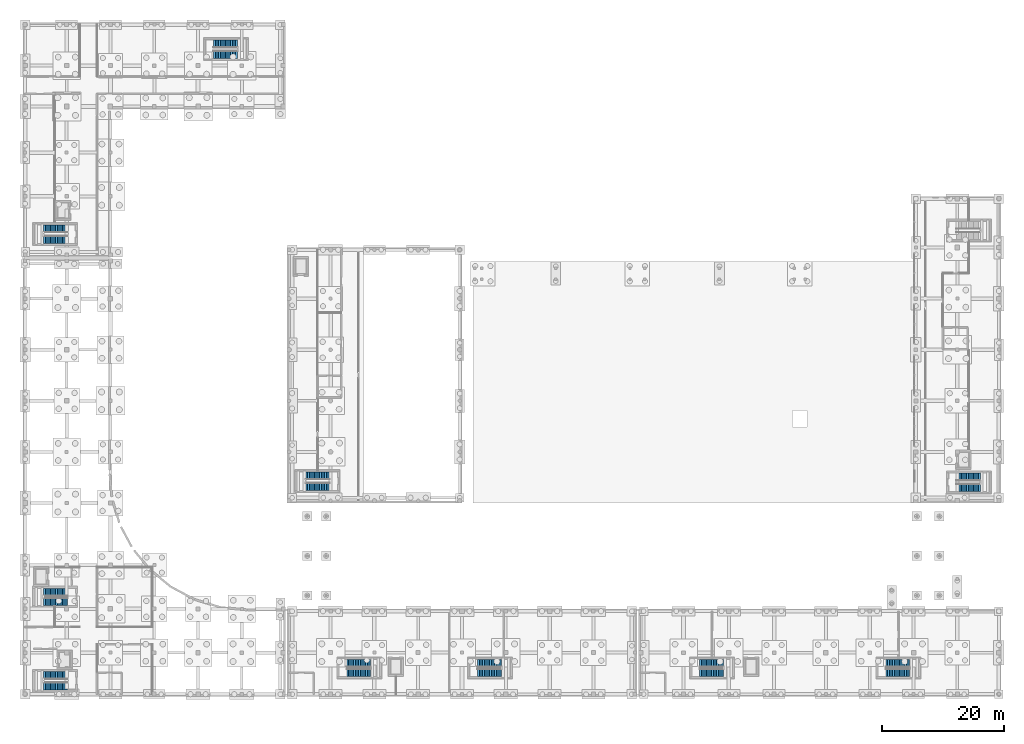
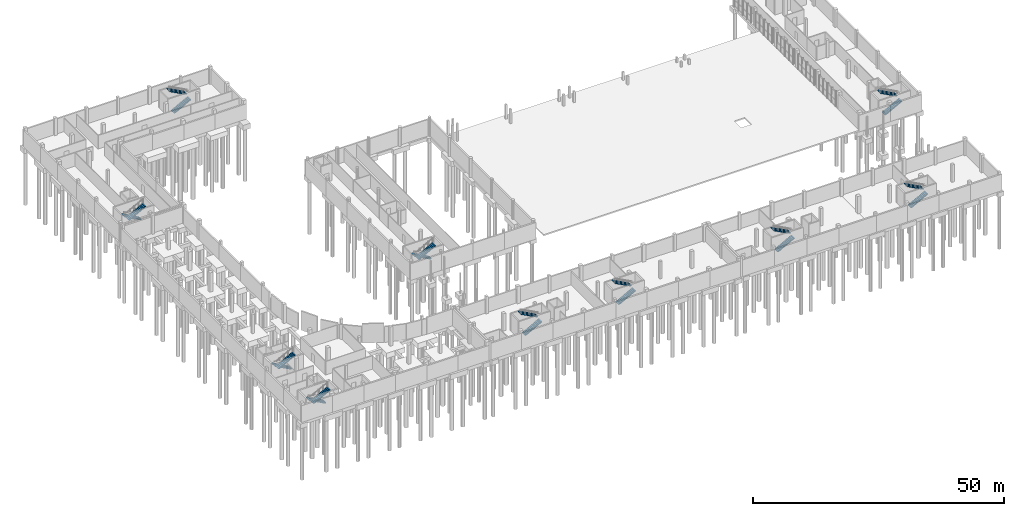
# One storey, part 33 of 41: 20 stair flights, 10 elements without a shape of their own.
"""IFC4 building model written with IfcOpenShell, lengths in metres."""

from ifc_helpers import new_model, si_unit, direction, frame, origin, place, context, subcontext, project, spatial, polyline, outline, extrude, material, type_object, element, aggregate, save


model = new_model("IFC4")

# Units and contexts
model_context = context("Model", 3, precision=1e-05, world=origin(), true_north=direction((0.0, 1.0)))
body_context = subcontext(model_context, "Body", "Model", "MODEL_VIEW")
ifc_project = project(units=[si_unit("LENGTHUNIT", "METRE"), si_unit("AREAUNIT", "SQUARE_METRE"), si_unit("VOLUMEUNIT", "CUBIC_METRE"), si_unit("PLANEANGLEUNIT", "RADIAN"), si_unit("MASSUNIT", "GRAM", prefix="KILO")], contexts=[model_context])

# Site, building, storey
site_placement = place(None, origin())
site = spatial("IfcSite", under=ifc_project, at=site_placement, CompositionType="ELEMENT")
building_placement = place(site_placement, origin())
building = spatial("IfcBuilding", under=site, at=building_placement, Name="Vardoun Plaza Health Centre", CompositionType="ELEMENT")
storey_placement = place(building_placement, frame((0.0, 0.0, -4.5)))
storey = spatial("IfcBuildingStorey", under=building, at=storey_placement, Name="B1", CompositionType="ELEMENT", Elevation=-4.5)

# Stair, stair flights
ifc_material_1 = material(Name="Concrete C35/45", Category="concrete")
stair_type = type_object("IfcStairType", Name="ST-01", PredefinedType="HALF_TURN_STAIR", material=ifc_material_1)
stair_1_placement = place(storey_placement, origin())
stair_1 = element("IfcStair", 1, at=stair_1_placement, inside=storey, type_object=stair_type, Name="Core C1 B1 Exit Stair ST-C1-B1", PredefinedType="HALF_TURN_STAIR")
ifc_material_2 = material(Name="Concrete C35/45", Category="concrete")
stair_flight_type = type_object("IfcStairFlightType", Name="SF-01", PredefinedType="STRAIGHT", material=ifc_material_2)
stair_flight_1_placement = place(storey_placement, frame((11.85009765625, 7.97998046875, 0.0), z_axis=(0.0, 0.0, 1.0), x_axis=(-1.0, 0.0, 0.0)))
stair_flight_1 = element("IfcStairFlight", 2, at=stair_flight_1_placement, type_object=stair_flight_type, Name="ST-C1-B1 flight 1", NumberOfRisers=15, NumberOfTreads=14, PredefinedType="STRAIGHT", RiserHeight=0.15, TreadLength=0.28, context=body_context, shape_type="SweptSolid", body=[
    extrude(outline(polyline([(0.0, 0.0), (0.0, 0.14990234375), (0.280029296875, 0.14990234375), (0.280029296875, 0.300048828125), (0.56005859375, 0.300048828125), (0.56005859375, 0.449951171875), (0.840087890625, 0.449951171875), (0.840087890625, 0.60009765625), (1.1201171875, 0.60009765625), (1.1201171875, 0.75), (1.39990234375, 0.75), (1.39990234375, 0.89990234375), (1.679931640625, 0.89990234375), (1.679931640625, 1.050048828125), (1.9599609375, 1.050048828125), (1.9599609375, 1.199951171875), (2.239990234375, 1.199951171875), (2.239990234375, 1.35009765625), (2.52001953125, 1.35009765625), (2.52001953125, 1.5), (2.800048828125, 1.5), (2.800048828125, 1.64990234375), (3.080078125, 1.64990234375), (3.080078125, 1.800048828125), (3.360107421875, 1.800048828125), (3.360107421875, 1.949951171875), (3.639892578125, 1.949951171875), (3.639892578125, 2.10009765625), (3.919921875, 2.10009765625), (3.919921875, 2.25), (3.919921875, 1.929931640625), (0.3173828125, 0.0), (0.0, 0.0)])), frame((0.0, 0.625, 0.0), z_axis=(0.0, -1.0, 0.0), x_axis=(1.0, 0.0, 0.0)), (0.0, 0.0, 1.0), 1.25),
])
stair_flight_2_placement = place(storey_placement, frame((7.929931640625, 6.219970703125, 2.25), z_axis=(0.0, 0.0, 1.0), x_axis=(1.0, 0.0, 0.0)))
stair_flight_2 = element("IfcStairFlight", 3, at=stair_flight_2_placement, type_object=stair_flight_type, Name="ST-C1-B1 flight 2", NumberOfRisers=15, NumberOfTreads=14, PredefinedType="STRAIGHT", RiserHeight=0.15, TreadLength=0.28, context=body_context, shape_type="SweptSolid", body=[
    extrude(outline(polyline([(0.0, 0.0), (0.0, 0.14990234375), (0.280029296875, 0.14990234375), (0.280029296875, 0.300048828125), (0.56005859375, 0.300048828125), (0.56005859375, 0.449951171875), (0.840087890625, 0.449951171875), (0.840087890625, 0.60009765625), (1.1201171875, 0.60009765625), (1.1201171875, 0.75), (1.39990234375, 0.75), (1.39990234375, 0.89990234375), (1.679931640625, 0.89990234375), (1.679931640625, 1.050048828125), (1.9599609375, 1.050048828125), (1.9599609375, 1.199951171875), (2.239990234375, 1.199951171875), (2.239990234375, 1.35009765625), (2.52001953125, 1.35009765625), (2.52001953125, 1.5), (2.800048828125, 1.5), (2.800048828125, 1.64990234375), (3.080078125, 1.64990234375), (3.080078125, 1.800048828125), (3.360107421875, 1.800048828125), (3.360107421875, 1.949951171875), (3.639892578125, 1.949951171875), (3.639892578125, 2.10009765625), (3.919921875, 2.10009765625), (3.919921875, 2.25), (3.919921875, 1.929931640625), (0.3173828125, 0.0), (0.0, 0.0)])), frame((0.0, 0.625, 0.0), z_axis=(0.0, -1.0, 0.0), x_axis=(1.0, 0.0, 0.0)), (0.0, 0.0, 1.0), 1.25),
])
aggregate(stair_1, [stair_flight_1, stair_flight_2])

stair_2_placement = place(storey_placement, origin())
stair_2 = element("IfcStair", 4, at=stair_2_placement, inside=storey, type_object=stair_type, Name="Core C10 B1 Exit Stair ST-C10-B1", PredefinedType="HALF_TURN_STAIR")
stair_flight_3_placement = place(storey_placement, frame((157.949951171875, 38.820068359375, 0.0), z_axis=(0.0, 0.0, 1.0), x_axis=(1.0, 0.0, 0.0)))
stair_flight_3 = element("IfcStairFlight", 5, at=stair_flight_3_placement, type_object=stair_flight_type, Name="ST-C10-B1 flight 1", NumberOfRisers=15, NumberOfTreads=14, PredefinedType="STRAIGHT", RiserHeight=0.15, TreadLength=0.28, context=body_context, shape_type="SweptSolid", body=[
    extrude(outline(polyline([(0.0, 0.0), (0.0, 0.14990234375), (0.280029296875, 0.14990234375), (0.280029296875, 0.300048828125), (0.56005859375, 0.300048828125), (0.56005859375, 0.449951171875), (0.840087890625, 0.449951171875), (0.840087890625, 0.60009765625), (1.1201171875, 0.60009765625), (1.1201171875, 0.75), (1.39990234375, 0.75), (1.39990234375, 0.89990234375), (1.679931640625, 0.89990234375), (1.679931640625, 1.050048828125), (1.9599609375, 1.050048828125), (1.9599609375, 1.199951171875), (2.239990234375, 1.199951171875), (2.239990234375, 1.35009765625), (2.52001953125, 1.35009765625), (2.52001953125, 1.5), (2.800048828125, 1.5), (2.800048828125, 1.64990234375), (3.080078125, 1.64990234375), (3.080078125, 1.800048828125), (3.360107421875, 1.800048828125), (3.360107421875, 1.949951171875), (3.639892578125, 1.949951171875), (3.639892578125, 2.10009765625), (3.919921875, 2.10009765625), (3.919921875, 2.25), (3.919921875, 1.929931640625), (0.3173828125, 0.0), (0.0, 0.0)])), frame((0.0, 0.625, 0.0), z_axis=(0.0, -1.0, 0.0), x_axis=(1.0, 0.0, 0.0)), (0.0, 0.0, 1.0), 1.25),
])
stair_flight_4_placement = place(storey_placement, frame((161.8701171875, 40.580078125, 2.25), z_axis=(0.0, 0.0, 1.0), x_axis=(-1.0, 0.0, 0.0)))
stair_flight_4 = element("IfcStairFlight", 6, at=stair_flight_4_placement, type_object=stair_flight_type, Name="ST-C10-B1 flight 2", NumberOfRisers=15, NumberOfTreads=14, PredefinedType="STRAIGHT", RiserHeight=0.15, TreadLength=0.28, context=body_context, shape_type="SweptSolid", body=[
    extrude(outline(polyline([(0.0, 0.0), (0.0, 0.14990234375), (0.280029296875, 0.14990234375), (0.280029296875, 0.300048828125), (0.56005859375, 0.300048828125), (0.56005859375, 0.449951171875), (0.840087890625, 0.449951171875), (0.840087890625, 0.60009765625), (1.1201171875, 0.60009765625), (1.1201171875, 0.75), (1.39990234375, 0.75), (1.39990234375, 0.89990234375), (1.679931640625, 0.89990234375), (1.679931640625, 1.050048828125), (1.9599609375, 1.050048828125), (1.9599609375, 1.199951171875), (2.239990234375, 1.199951171875), (2.239990234375, 1.35009765625), (2.52001953125, 1.35009765625), (2.52001953125, 1.5), (2.800048828125, 1.5), (2.800048828125, 1.64990234375), (3.080078125, 1.64990234375), (3.080078125, 1.800048828125), (3.360107421875, 1.800048828125), (3.360107421875, 1.949951171875), (3.639892578125, 1.949951171875), (3.639892578125, 2.10009765625), (3.919921875, 2.10009765625), (3.919921875, 2.25), (3.919921875, 1.929931640625), (0.3173828125, 0.0), (0.0, 0.0)])), frame((0.0, 0.625, 0.0), z_axis=(0.0, -1.0, 0.0), x_axis=(1.0, 0.0, 0.0)), (0.0, 0.0, 1.0), 1.25),
])
aggregate(stair_2, [stair_flight_3, stair_flight_4])

stair_3_placement = place(storey_placement, origin())
stair_3 = element("IfcStair", 7, at=stair_3_placement, inside=storey, type_object=stair_type, Name="Core C2 B1 Exit Stair ST-C2-B1", PredefinedType="HALF_TURN_STAIR")
stair_flight_5_placement = place(storey_placement, frame((11.85009765625, 21.6298828125, 0.0), z_axis=(0.0, 0.0, 1.0), x_axis=(-1.0, 0.0, 0.0)))
stair_flight_5 = element("IfcStairFlight", 8, at=stair_flight_5_placement, type_object=stair_flight_type, Name="ST-C2-B1 flight 1", NumberOfRisers=15, NumberOfTreads=14, PredefinedType="STRAIGHT", RiserHeight=0.15, TreadLength=0.28, context=body_context, shape_type="SweptSolid", body=[
    extrude(outline(polyline([(0.0, 0.0), (0.0, 0.14990234375), (0.280029296875, 0.14990234375), (0.280029296875, 0.300048828125), (0.56005859375, 0.300048828125), (0.56005859375, 0.449951171875), (0.840087890625, 0.449951171875), (0.840087890625, 0.60009765625), (1.1201171875, 0.60009765625), (1.1201171875, 0.75), (1.39990234375, 0.75), (1.39990234375, 0.89990234375), (1.679931640625, 0.89990234375), (1.679931640625, 1.050048828125), (1.9599609375, 1.050048828125), (1.9599609375, 1.199951171875), (2.239990234375, 1.199951171875), (2.239990234375, 1.35009765625), (2.52001953125, 1.35009765625), (2.52001953125, 1.5), (2.800048828125, 1.5), (2.800048828125, 1.64990234375), (3.080078125, 1.64990234375), (3.080078125, 1.800048828125), (3.360107421875, 1.800048828125), (3.360107421875, 1.949951171875), (3.639892578125, 1.949951171875), (3.639892578125, 2.10009765625), (3.919921875, 2.10009765625), (3.919921875, 2.25), (3.919921875, 1.929931640625), (0.3173828125, 0.0), (0.0, 0.0)])), frame((0.0, 0.625, 0.0), z_axis=(0.0, -1.0, 0.0), x_axis=(1.0, 0.0, 0.0)), (0.0, 0.0, 1.0), 1.25),
])
stair_flight_6_placement = place(storey_placement, frame((7.929931640625, 20.1201171875, 2.25), z_axis=(0.0, 0.0, 1.0), x_axis=(1.0, 0.0, 0.0)))
stair_flight_6 = element("IfcStairFlight", 9, at=stair_flight_6_placement, type_object=stair_flight_type, Name="ST-C2-B1 flight 2", NumberOfRisers=15, NumberOfTreads=14, PredefinedType="STRAIGHT", RiserHeight=0.15, TreadLength=0.28, context=body_context, shape_type="SweptSolid", body=[
    extrude(outline(polyline([(0.0, 0.0), (0.0, 0.14990234375), (0.280029296875, 0.14990234375), (0.280029296875, 0.300048828125), (0.56005859375, 0.300048828125), (0.56005859375, 0.449951171875), (0.840087890625, 0.449951171875), (0.840087890625, 0.60009765625), (1.1201171875, 0.60009765625), (1.1201171875, 0.75), (1.39990234375, 0.75), (1.39990234375, 0.89990234375), (1.679931640625, 0.89990234375), (1.679931640625, 1.050048828125), (1.9599609375, 1.050048828125), (1.9599609375, 1.199951171875), (2.239990234375, 1.199951171875), (2.239990234375, 1.35009765625), (2.52001953125, 1.35009765625), (2.52001953125, 1.5), (2.800048828125, 1.5), (2.800048828125, 1.64990234375), (3.080078125, 1.64990234375), (3.080078125, 1.800048828125), (3.360107421875, 1.800048828125), (3.360107421875, 1.949951171875), (3.639892578125, 1.949951171875), (3.639892578125, 2.10009765625), (3.919921875, 2.10009765625), (3.919921875, 2.25), (3.919921875, 1.929931640625), (0.3173828125, 0.0), (0.0, 0.0)])), frame((0.0, 0.625, 0.0), z_axis=(0.0, -1.0, 0.0), x_axis=(1.0, 0.0, 0.0)), (0.0, 0.0, 1.0), 1.25),
])
aggregate(stair_3, [stair_flight_5, stair_flight_6])

stair_4_placement = place(storey_placement, origin())
stair_4 = element("IfcStair", 10, at=stair_4_placement, inside=storey, type_object=stair_type, Name="Core C3 B1 Exit Stair ST-C3-B1", PredefinedType="HALF_TURN_STAIR")
stair_flight_7_placement = place(storey_placement, frame((11.85009765625, 81.3798828125, 0.0), z_axis=(0.0, 0.0, 1.0), x_axis=(-1.0, 0.0, 0.0)))
stair_flight_7 = element("IfcStairFlight", 11, at=stair_flight_7_placement, type_object=stair_flight_type, Name="ST-C3-B1 flight 1", NumberOfRisers=15, NumberOfTreads=14, PredefinedType="STRAIGHT", RiserHeight=0.15, TreadLength=0.28, context=body_context, shape_type="SweptSolid", body=[
    extrude(outline(polyline([(0.0, 0.0), (0.0, 0.14990234375), (0.280029296875, 0.14990234375), (0.280029296875, 0.300048828125), (0.56005859375, 0.300048828125), (0.56005859375, 0.449951171875), (0.840087890625, 0.449951171875), (0.840087890625, 0.60009765625), (1.1201171875, 0.60009765625), (1.1201171875, 0.75), (1.39990234375, 0.75), (1.39990234375, 0.89990234375), (1.679931640625, 0.89990234375), (1.679931640625, 1.050048828125), (1.9599609375, 1.050048828125), (1.9599609375, 1.199951171875), (2.239990234375, 1.199951171875), (2.239990234375, 1.35009765625), (2.52001953125, 1.35009765625), (2.52001953125, 1.5), (2.800048828125, 1.5), (2.800048828125, 1.64990234375), (3.080078125, 1.64990234375), (3.080078125, 1.800048828125), (3.360107421875, 1.800048828125), (3.360107421875, 1.949951171875), (3.639892578125, 1.949951171875), (3.639892578125, 2.10009765625), (3.919921875, 2.10009765625), (3.919921875, 2.25), (3.919921875, 1.929931640625), (0.3173828125, 0.0), (0.0, 0.0)])), frame((0.0, 0.625, 0.0), z_axis=(0.0, -1.0, 0.0), x_axis=(1.0, 0.0, 0.0)), (0.0, 0.0, 1.0), 1.25),
])
stair_flight_8_placement = place(storey_placement, frame((7.929931640625, 79.6201171875, 2.25), z_axis=(0.0, 0.0, 1.0), x_axis=(1.0, 0.0, 0.0)))
stair_flight_8 = element("IfcStairFlight", 12, at=stair_flight_8_placement, type_object=stair_flight_type, Name="ST-C3-B1 flight 2", NumberOfRisers=15, NumberOfTreads=14, PredefinedType="STRAIGHT", RiserHeight=0.15, TreadLength=0.28, context=body_context, shape_type="SweptSolid", body=[
    extrude(outline(polyline([(0.0, 0.0), (0.0, 0.14990234375), (0.280029296875, 0.14990234375), (0.280029296875, 0.300048828125), (0.56005859375, 0.300048828125), (0.56005859375, 0.449951171875), (0.840087890625, 0.449951171875), (0.840087890625, 0.60009765625), (1.1201171875, 0.60009765625), (1.1201171875, 0.75), (1.39990234375, 0.75), (1.39990234375, 0.89990234375), (1.679931640625, 0.89990234375), (1.679931640625, 1.050048828125), (1.9599609375, 1.050048828125), (1.9599609375, 1.199951171875), (2.239990234375, 1.199951171875), (2.239990234375, 1.35009765625), (2.52001953125, 1.35009765625), (2.52001953125, 1.5), (2.800048828125, 1.5), (2.800048828125, 1.64990234375), (3.080078125, 1.64990234375), (3.080078125, 1.800048828125), (3.360107421875, 1.800048828125), (3.360107421875, 1.949951171875), (3.639892578125, 1.949951171875), (3.639892578125, 2.10009765625), (3.919921875, 2.10009765625), (3.919921875, 2.25), (3.919921875, 1.929931640625), (0.3173828125, 0.0), (0.0, 0.0)])), frame((0.0, 0.625, 0.0), z_axis=(0.0, -1.0, 0.0), x_axis=(1.0, 0.0, 0.0)), (0.0, 0.0, 1.0), 1.25),
])
aggregate(stair_4, [stair_flight_7, stair_flight_8])

stair_5_placement = place(storey_placement, origin())
stair_5 = element("IfcStair", 13, at=stair_5_placement, inside=storey, type_object=stair_type, Name="Core C4 B1 Exit Stair ST-C4-B1", PredefinedType="HALF_TURN_STAIR")
stair_flight_9_placement = place(storey_placement, frame((35.85009765625, 110.02001953125, 0.0), z_axis=(0.0, 0.0, 1.0), x_axis=(1.0, 0.0, 0.0)))
stair_flight_9 = element("IfcStairFlight", 14, at=stair_flight_9_placement, type_object=stair_flight_type, Name="ST-C4-B1 flight 1", NumberOfRisers=15, NumberOfTreads=14, PredefinedType="STRAIGHT", RiserHeight=0.15, TreadLength=0.28, context=body_context, shape_type="SweptSolid", body=[
    extrude(outline(polyline([(0.0, 0.0), (0.0, 0.14990234375), (0.280029296875, 0.14990234375), (0.280029296875, 0.300048828125), (0.56005859375, 0.300048828125), (0.56005859375, 0.449951171875), (0.840087890625, 0.449951171875), (0.840087890625, 0.60009765625), (1.1201171875, 0.60009765625), (1.1201171875, 0.75), (1.39990234375, 0.75), (1.39990234375, 0.89990234375), (1.679931640625, 0.89990234375), (1.679931640625, 1.050048828125), (1.9599609375, 1.050048828125), (1.9599609375, 1.199951171875), (2.239990234375, 1.199951171875), (2.239990234375, 1.35009765625), (2.52001953125, 1.35009765625), (2.52001953125, 1.5), (2.800048828125, 1.5), (2.800048828125, 1.64990234375), (3.080078125, 1.64990234375), (3.080078125, 1.800048828125), (3.360107421875, 1.800048828125), (3.360107421875, 1.949951171875), (3.639892578125, 1.949951171875), (3.639892578125, 2.10009765625), (3.919921875, 2.10009765625), (3.919921875, 2.25), (3.919921875, 1.929931640625), (0.3173828125, 0.0), (0.0, 0.0)])), frame((0.0, 0.625, 0.0), z_axis=(0.0, -1.0, 0.0), x_axis=(1.0, 0.0, 0.0)), (0.0, 0.0, 1.0), 1.25),
])
stair_flight_10_placement = place(storey_placement, frame((39.77001953125, 111.780029296875, 2.25), z_axis=(0.0, 0.0, 1.0), x_axis=(-1.0, 0.0, 0.0)))
stair_flight_10 = element("IfcStairFlight", 15, at=stair_flight_10_placement, type_object=stair_flight_type, Name="ST-C4-B1 flight 2", NumberOfRisers=15, NumberOfTreads=14, PredefinedType="STRAIGHT", RiserHeight=0.15, TreadLength=0.28, context=body_context, shape_type="SweptSolid", body=[
    extrude(outline(polyline([(0.0, 0.0), (0.0, 0.14990234375), (0.280029296875, 0.14990234375), (0.280029296875, 0.300048828125), (0.56005859375, 0.300048828125), (0.56005859375, 0.449951171875), (0.840087890625, 0.449951171875), (0.840087890625, 0.60009765625), (1.1201171875, 0.60009765625), (1.1201171875, 0.75), (1.39990234375, 0.75), (1.39990234375, 0.89990234375), (1.679931640625, 0.89990234375), (1.679931640625, 1.050048828125), (1.9599609375, 1.050048828125), (1.9599609375, 1.199951171875), (2.239990234375, 1.199951171875), (2.239990234375, 1.35009765625), (2.52001953125, 1.35009765625), (2.52001953125, 1.5), (2.800048828125, 1.5), (2.800048828125, 1.64990234375), (3.080078125, 1.64990234375), (3.080078125, 1.800048828125), (3.360107421875, 1.800048828125), (3.360107421875, 1.949951171875), (3.639892578125, 1.949951171875), (3.639892578125, 2.10009765625), (3.919921875, 2.10009765625), (3.919921875, 2.25), (3.919921875, 1.929931640625), (0.3173828125, 0.0), (0.0, 0.0)])), frame((0.0, 0.625, 0.0), z_axis=(0.0, -1.0, 0.0), x_axis=(1.0, 0.0, 0.0)), (0.0, 0.0, 1.0), 1.25),
])
aggregate(stair_5, [stair_flight_9, stair_flight_10])

stair_6_placement = place(storey_placement, origin())
stair_6 = element("IfcStair", 16, at=stair_6_placement, inside=storey, type_object=stair_type, Name="Core C5 B1 Exit Stair ST-C5-B1", PredefinedType="HALF_TURN_STAIR")
stair_flight_11_placement = place(storey_placement, frame((54.949951171875, 40.780029296875, 0.0), z_axis=(0.0, 0.0, 1.0), x_axis=(-1.0, 0.0, 0.0)))
stair_flight_11 = element("IfcStairFlight", 17, at=stair_flight_11_placement, type_object=stair_flight_type, Name="ST-C5-B1 flight 1", NumberOfRisers=15, NumberOfTreads=14, PredefinedType="STRAIGHT", RiserHeight=0.15, TreadLength=0.28, context=body_context, shape_type="SweptSolid", body=[
    extrude(outline(polyline([(0.0, 0.0), (0.0, 0.14990234375), (0.280029296875, 0.14990234375), (0.280029296875, 0.300048828125), (0.56005859375, 0.300048828125), (0.56005859375, 0.449951171875), (0.840087890625, 0.449951171875), (0.840087890625, 0.60009765625), (1.1201171875, 0.60009765625), (1.1201171875, 0.75), (1.39990234375, 0.75), (1.39990234375, 0.89990234375), (1.679931640625, 0.89990234375), (1.679931640625, 1.050048828125), (1.9599609375, 1.050048828125), (1.9599609375, 1.199951171875), (2.239990234375, 1.199951171875), (2.239990234375, 1.35009765625), (2.52001953125, 1.35009765625), (2.52001953125, 1.5), (2.800048828125, 1.5), (2.800048828125, 1.64990234375), (3.080078125, 1.64990234375), (3.080078125, 1.800048828125), (3.360107421875, 1.800048828125), (3.360107421875, 1.949951171875), (3.639892578125, 1.949951171875), (3.639892578125, 2.10009765625), (3.919921875, 2.10009765625), (3.919921875, 2.25), (3.919921875, 1.929931640625), (0.3173828125, 0.0), (0.0, 0.0)])), frame((0.0, 0.625, 0.0), z_axis=(0.0, -1.0, 0.0), x_axis=(1.0, 0.0, 0.0)), (0.0, 0.0, 1.0), 1.25),
])
stair_flight_12_placement = place(storey_placement, frame((51.030029296875, 39.02001953125, 2.25), z_axis=(0.0, 0.0, 1.0), x_axis=(1.0, 0.0, 0.0)))
stair_flight_12 = element("IfcStairFlight", 18, at=stair_flight_12_placement, type_object=stair_flight_type, Name="ST-C5-B1 flight 2", NumberOfRisers=15, NumberOfTreads=14, PredefinedType="STRAIGHT", RiserHeight=0.15, TreadLength=0.28, context=body_context, shape_type="SweptSolid", body=[
    extrude(outline(polyline([(0.0, 0.0), (0.0, 0.14990234375), (0.280029296875, 0.14990234375), (0.280029296875, 0.300048828125), (0.56005859375, 0.300048828125), (0.56005859375, 0.449951171875), (0.840087890625, 0.449951171875), (0.840087890625, 0.60009765625), (1.1201171875, 0.60009765625), (1.1201171875, 0.75), (1.39990234375, 0.75), (1.39990234375, 0.89990234375), (1.679931640625, 0.89990234375), (1.679931640625, 1.050048828125), (1.9599609375, 1.050048828125), (1.9599609375, 1.199951171875), (2.239990234375, 1.199951171875), (2.239990234375, 1.35009765625), (2.52001953125, 1.35009765625), (2.52001953125, 1.5), (2.800048828125, 1.5), (2.800048828125, 1.64990234375), (3.080078125, 1.64990234375), (3.080078125, 1.800048828125), (3.360107421875, 1.800048828125), (3.360107421875, 1.949951171875), (3.639892578125, 1.949951171875), (3.639892578125, 2.10009765625), (3.919921875, 2.10009765625), (3.919921875, 2.25), (3.919921875, 1.929931640625), (0.3173828125, 0.0), (0.0, 0.0)])), frame((0.0, 0.625, 0.0), z_axis=(0.0, -1.0, 0.0), x_axis=(1.0, 0.0, 0.0)), (0.0, 0.0, 1.0), 1.25),
])
aggregate(stair_6, [stair_flight_11, stair_flight_12])

stair_7_placement = place(storey_placement, origin())
stair_7 = element("IfcStair", 19, at=stair_7_placement, inside=storey, type_object=stair_type, Name="Core C6 B1 Exit Stair ST-C6-B1", PredefinedType="HALF_TURN_STAIR")
stair_flight_13_placement = place(storey_placement, frame((57.75, 8.419921875, 0.0), z_axis=(0.0, 0.0, 1.0), x_axis=(1.0, 0.0, 0.0)))
stair_flight_13 = element("IfcStairFlight", 20, at=stair_flight_13_placement, type_object=stair_flight_type, Name="ST-C6-B1 flight 1", NumberOfRisers=15, NumberOfTreads=14, PredefinedType="STRAIGHT", RiserHeight=0.15, TreadLength=0.28, context=body_context, shape_type="SweptSolid", body=[
    extrude(outline(polyline([(0.0, 0.0), (0.0, 0.14990234375), (0.280029296875, 0.14990234375), (0.280029296875, 0.300048828125), (0.56005859375, 0.300048828125), (0.56005859375, 0.449951171875), (0.840087890625, 0.449951171875), (0.840087890625, 0.60009765625), (1.1201171875, 0.60009765625), (1.1201171875, 0.75), (1.39990234375, 0.75), (1.39990234375, 0.89990234375), (1.679931640625, 0.89990234375), (1.679931640625, 1.050048828125), (1.9599609375, 1.050048828125), (1.9599609375, 1.199951171875), (2.239990234375, 1.199951171875), (2.239990234375, 1.35009765625), (2.52001953125, 1.35009765625), (2.52001953125, 1.5), (2.800048828125, 1.5), (2.800048828125, 1.64990234375), (3.080078125, 1.64990234375), (3.080078125, 1.800048828125), (3.360107421875, 1.800048828125), (3.360107421875, 1.949951171875), (3.639892578125, 1.949951171875), (3.639892578125, 2.10009765625), (3.919921875, 2.10009765625), (3.919921875, 2.25), (3.919921875, 1.929931640625), (0.3173828125, 0.0), (0.0, 0.0)])), frame((0.0, 0.625, 0.0), z_axis=(0.0, -1.0, 0.0), x_axis=(1.0, 0.0, 0.0)), (0.0, 0.0, 1.0), 1.25),
])
stair_flight_14_placement = place(storey_placement, frame((61.669921875, 9.97998046875, 2.25), z_axis=(0.0, 0.0, 1.0), x_axis=(-1.0, 0.0, 0.0)))
stair_flight_14 = element("IfcStairFlight", 21, at=stair_flight_14_placement, type_object=stair_flight_type, Name="ST-C6-B1 flight 2", NumberOfRisers=15, NumberOfTreads=14, PredefinedType="STRAIGHT", RiserHeight=0.15, TreadLength=0.28, context=body_context, shape_type="SweptSolid", body=[
    extrude(outline(polyline([(0.0, 0.0), (0.0, 0.14990234375), (0.280029296875, 0.14990234375), (0.280029296875, 0.300048828125), (0.56005859375, 0.300048828125), (0.56005859375, 0.449951171875), (0.840087890625, 0.449951171875), (0.840087890625, 0.60009765625), (1.1201171875, 0.60009765625), (1.1201171875, 0.75), (1.39990234375, 0.75), (1.39990234375, 0.89990234375), (1.679931640625, 0.89990234375), (1.679931640625, 1.050048828125), (1.9599609375, 1.050048828125), (1.9599609375, 1.199951171875), (2.239990234375, 1.199951171875), (2.239990234375, 1.35009765625), (2.52001953125, 1.35009765625), (2.52001953125, 1.5), (2.800048828125, 1.5), (2.800048828125, 1.64990234375), (3.080078125, 1.64990234375), (3.080078125, 1.800048828125), (3.360107421875, 1.800048828125), (3.360107421875, 1.949951171875), (3.639892578125, 1.949951171875), (3.639892578125, 2.10009765625), (3.919921875, 2.10009765625), (3.919921875, 2.25), (3.919921875, 1.929931640625), (0.3173828125, 0.0), (0.0, 0.0)])), frame((0.0, 0.625, 0.0), z_axis=(0.0, -1.0, 0.0), x_axis=(1.0, 0.0, 0.0)), (0.0, 0.0, 1.0), 1.25),
])
aggregate(stair_7, [stair_flight_13, stair_flight_14])

stair_8_placement = place(storey_placement, origin())
stair_8 = element("IfcStair", 22, at=stair_8_placement, inside=storey, type_object=stair_type, Name="Core C7 B1 Exit Stair ST-C7-B1", PredefinedType="HALF_TURN_STAIR")
stair_flight_15_placement = place(storey_placement, frame((79.25, 8.419921875, 0.0), z_axis=(0.0, 0.0, 1.0), x_axis=(1.0, 0.0, 0.0)))
stair_flight_15 = element("IfcStairFlight", 23, at=stair_flight_15_placement, type_object=stair_flight_type, Name="ST-C7-B1 flight 1", NumberOfRisers=15, NumberOfTreads=14, PredefinedType="STRAIGHT", RiserHeight=0.15, TreadLength=0.28, context=body_context, shape_type="SweptSolid", body=[
    extrude(outline(polyline([(0.0, 0.0), (0.0, 0.14990234375), (0.280029296875, 0.14990234375), (0.280029296875, 0.300048828125), (0.56005859375, 0.300048828125), (0.56005859375, 0.449951171875), (0.840087890625, 0.449951171875), (0.840087890625, 0.60009765625), (1.1201171875, 0.60009765625), (1.1201171875, 0.75), (1.39990234375, 0.75), (1.39990234375, 0.89990234375), (1.679931640625, 0.89990234375), (1.679931640625, 1.050048828125), (1.9599609375, 1.050048828125), (1.9599609375, 1.199951171875), (2.239990234375, 1.199951171875), (2.239990234375, 1.35009765625), (2.52001953125, 1.35009765625), (2.52001953125, 1.5), (2.800048828125, 1.5), (2.800048828125, 1.64990234375), (3.080078125, 1.64990234375), (3.080078125, 1.800048828125), (3.360107421875, 1.800048828125), (3.360107421875, 1.949951171875), (3.639892578125, 1.949951171875), (3.639892578125, 2.10009765625), (3.919921875, 2.10009765625), (3.919921875, 2.25), (3.919921875, 1.929931640625), (0.3173828125, 0.0), (0.0, 0.0)])), frame((0.0, 0.625, 0.0), z_axis=(0.0, -1.0, 0.0), x_axis=(1.0, 0.0, 0.0)), (0.0, 0.0, 1.0), 1.25),
])
stair_flight_16_placement = place(storey_placement, frame((83.169921875, 9.97998046875, 2.25), z_axis=(0.0, 0.0, 1.0), x_axis=(-1.0, 0.0, 0.0)))
stair_flight_16 = element("IfcStairFlight", 24, at=stair_flight_16_placement, type_object=stair_flight_type, Name="ST-C7-B1 flight 2", NumberOfRisers=15, NumberOfTreads=14, PredefinedType="STRAIGHT", RiserHeight=0.15, TreadLength=0.28, context=body_context, shape_type="SweptSolid", body=[
    extrude(outline(polyline([(0.0, 0.0), (0.0, 0.14990234375), (0.280029296875, 0.14990234375), (0.280029296875, 0.300048828125), (0.56005859375, 0.300048828125), (0.56005859375, 0.449951171875), (0.840087890625, 0.449951171875), (0.840087890625, 0.60009765625), (1.1201171875, 0.60009765625), (1.1201171875, 0.75), (1.39990234375, 0.75), (1.39990234375, 0.89990234375), (1.679931640625, 0.89990234375), (1.679931640625, 1.050048828125), (1.9599609375, 1.050048828125), (1.9599609375, 1.199951171875), (2.239990234375, 1.199951171875), (2.239990234375, 1.35009765625), (2.52001953125, 1.35009765625), (2.52001953125, 1.5), (2.800048828125, 1.5), (2.800048828125, 1.64990234375), (3.080078125, 1.64990234375), (3.080078125, 1.800048828125), (3.360107421875, 1.800048828125), (3.360107421875, 1.949951171875), (3.639892578125, 1.949951171875), (3.639892578125, 2.10009765625), (3.919921875, 2.10009765625), (3.919921875, 2.25), (3.919921875, 1.929931640625), (0.3173828125, 0.0), (0.0, 0.0)])), frame((0.0, 0.625, 0.0), z_axis=(0.0, -1.0, 0.0), x_axis=(1.0, 0.0, 0.0)), (0.0, 0.0, 1.0), 1.25),
])
aggregate(stair_8, [stair_flight_15, stair_flight_16])

stair_9_placement = place(storey_placement, origin())
stair_9 = element("IfcStair", 25, at=stair_9_placement, inside=storey, type_object=stair_type, Name="Core C8 B1 Exit Stair ST-C8-B1", PredefinedType="HALF_TURN_STAIR")
stair_flight_17_placement = place(storey_placement, frame((115.75, 8.419921875, 0.0), z_axis=(0.0, 0.0, 1.0), x_axis=(1.0, 0.0, 0.0)))
stair_flight_17 = element("IfcStairFlight", 26, at=stair_flight_17_placement, type_object=stair_flight_type, Name="ST-C8-B1 flight 1", NumberOfRisers=15, NumberOfTreads=14, PredefinedType="STRAIGHT", RiserHeight=0.15, TreadLength=0.28, context=body_context, shape_type="SweptSolid", body=[
    extrude(outline(polyline([(0.0, 0.0), (0.0, 0.14990234375), (0.280029296875, 0.14990234375), (0.280029296875, 0.300048828125), (0.56005859375, 0.300048828125), (0.56005859375, 0.449951171875), (0.840087890625, 0.449951171875), (0.840087890625, 0.60009765625), (1.1201171875, 0.60009765625), (1.1201171875, 0.75), (1.39990234375, 0.75), (1.39990234375, 0.89990234375), (1.679931640625, 0.89990234375), (1.679931640625, 1.050048828125), (1.9599609375, 1.050048828125), (1.9599609375, 1.199951171875), (2.239990234375, 1.199951171875), (2.239990234375, 1.35009765625), (2.52001953125, 1.35009765625), (2.52001953125, 1.5), (2.800048828125, 1.5), (2.800048828125, 1.64990234375), (3.080078125, 1.64990234375), (3.080078125, 1.800048828125), (3.360107421875, 1.800048828125), (3.360107421875, 1.949951171875), (3.639892578125, 1.949951171875), (3.639892578125, 2.10009765625), (3.919921875, 2.10009765625), (3.919921875, 2.25), (3.919921875, 1.929931640625), (0.3173828125, 0.0), (0.0, 0.0)])), frame((0.0, 0.625, 0.0), z_axis=(0.0, -1.0, 0.0), x_axis=(1.0, 0.0, 0.0)), (0.0, 0.0, 1.0), 1.25),
])
stair_flight_18_placement = place(storey_placement, frame((119.669921875, 9.97998046875, 2.25), z_axis=(0.0, 0.0, 1.0), x_axis=(-1.0, 0.0, 0.0)))
stair_flight_18 = element("IfcStairFlight", 27, at=stair_flight_18_placement, type_object=stair_flight_type, Name="ST-C8-B1 flight 2", NumberOfRisers=15, NumberOfTreads=14, PredefinedType="STRAIGHT", RiserHeight=0.15, TreadLength=0.28, context=body_context, shape_type="SweptSolid", body=[
    extrude(outline(polyline([(0.0, 0.0), (0.0, 0.14990234375), (0.280029296875, 0.14990234375), (0.280029296875, 0.300048828125), (0.56005859375, 0.300048828125), (0.56005859375, 0.449951171875), (0.840087890625, 0.449951171875), (0.840087890625, 0.60009765625), (1.1201171875, 0.60009765625), (1.1201171875, 0.75), (1.39990234375, 0.75), (1.39990234375, 0.89990234375), (1.679931640625, 0.89990234375), (1.679931640625, 1.050048828125), (1.9599609375, 1.050048828125), (1.9599609375, 1.199951171875), (2.239990234375, 1.199951171875), (2.239990234375, 1.35009765625), (2.52001953125, 1.35009765625), (2.52001953125, 1.5), (2.800048828125, 1.5), (2.800048828125, 1.64990234375), (3.080078125, 1.64990234375), (3.080078125, 1.800048828125), (3.360107421875, 1.800048828125), (3.360107421875, 1.949951171875), (3.639892578125, 1.949951171875), (3.639892578125, 2.10009765625), (3.919921875, 2.10009765625), (3.919921875, 2.25), (3.919921875, 1.929931640625), (0.3173828125, 0.0), (0.0, 0.0)])), frame((0.0, 0.625, 0.0), z_axis=(0.0, -1.0, 0.0), x_axis=(1.0, 0.0, 0.0)), (0.0, 0.0, 1.0), 1.25),
])
aggregate(stair_9, [stair_flight_17, stair_flight_18])

stair_10_placement = place(storey_placement, origin())
stair_10 = element("IfcStair", 28, at=stair_10_placement, inside=storey, type_object=stair_type, Name="Core C9 B1 Exit Stair ST-C9-B1", PredefinedType="HALF_TURN_STAIR")
stair_flight_19_placement = place(storey_placement, frame((146.35009765625, 8.419921875, 0.0), z_axis=(0.0, 0.0, 1.0), x_axis=(1.0, 0.0, 0.0)))
stair_flight_19 = element("IfcStairFlight", 29, at=stair_flight_19_placement, type_object=stair_flight_type, Name="ST-C9-B1 flight 1", NumberOfRisers=15, NumberOfTreads=14, PredefinedType="STRAIGHT", RiserHeight=0.15, TreadLength=0.28, context=body_context, shape_type="SweptSolid", body=[
    extrude(outline(polyline([(0.0, 0.0), (0.0, 0.14990234375), (0.280029296875, 0.14990234375), (0.280029296875, 0.300048828125), (0.56005859375, 0.300048828125), (0.56005859375, 0.449951171875), (0.840087890625, 0.449951171875), (0.840087890625, 0.60009765625), (1.1201171875, 0.60009765625), (1.1201171875, 0.75), (1.39990234375, 0.75), (1.39990234375, 0.89990234375), (1.679931640625, 0.89990234375), (1.679931640625, 1.050048828125), (1.9599609375, 1.050048828125), (1.9599609375, 1.199951171875), (2.239990234375, 1.199951171875), (2.239990234375, 1.35009765625), (2.52001953125, 1.35009765625), (2.52001953125, 1.5), (2.800048828125, 1.5), (2.800048828125, 1.64990234375), (3.080078125, 1.64990234375), (3.080078125, 1.800048828125), (3.360107421875, 1.800048828125), (3.360107421875, 1.949951171875), (3.639892578125, 1.949951171875), (3.639892578125, 2.10009765625), (3.919921875, 2.10009765625), (3.919921875, 2.25), (3.919921875, 1.929931640625), (0.3173828125, 0.0), (0.0, 0.0)])), frame((0.0, 0.625, 0.0), z_axis=(0.0, -1.0, 0.0), x_axis=(1.0, 0.0, 0.0)), (0.0, 0.0, 1.0), 1.25),
])
stair_flight_20_placement = place(storey_placement, frame((150.27001953125, 9.97998046875, 2.25), z_axis=(0.0, 0.0, 1.0), x_axis=(-1.0, 0.0, 0.0)))
stair_flight_20 = element("IfcStairFlight", 30, at=stair_flight_20_placement, type_object=stair_flight_type, Name="ST-C9-B1 flight 2", NumberOfRisers=15, NumberOfTreads=14, PredefinedType="STRAIGHT", RiserHeight=0.15, TreadLength=0.28, context=body_context, shape_type="SweptSolid", body=[
    extrude(outline(polyline([(0.0, 0.0), (0.0, 0.14990234375), (0.280029296875, 0.14990234375), (0.280029296875, 0.300048828125), (0.56005859375, 0.300048828125), (0.56005859375, 0.449951171875), (0.840087890625, 0.449951171875), (0.840087890625, 0.60009765625), (1.1201171875, 0.60009765625), (1.1201171875, 0.75), (1.39990234375, 0.75), (1.39990234375, 0.89990234375), (1.679931640625, 0.89990234375), (1.679931640625, 1.050048828125), (1.9599609375, 1.050048828125), (1.9599609375, 1.199951171875), (2.239990234375, 1.199951171875), (2.239990234375, 1.35009765625), (2.52001953125, 1.35009765625), (2.52001953125, 1.5), (2.800048828125, 1.5), (2.800048828125, 1.64990234375), (3.080078125, 1.64990234375), (3.080078125, 1.800048828125), (3.360107421875, 1.800048828125), (3.360107421875, 1.949951171875), (3.639892578125, 1.949951171875), (3.639892578125, 2.10009765625), (3.919921875, 2.10009765625), (3.919921875, 2.25), (3.919921875, 1.929931640625), (0.3173828125, 0.0), (0.0, 0.0)])), frame((0.0, 0.625, 0.0), z_axis=(0.0, -1.0, 0.0), x_axis=(1.0, 0.0, 0.0)), (0.0, 0.0, 1.0), 1.25),
])
aggregate(stair_10, [stair_flight_19, stair_flight_20])

save(model, "model.ifc")
